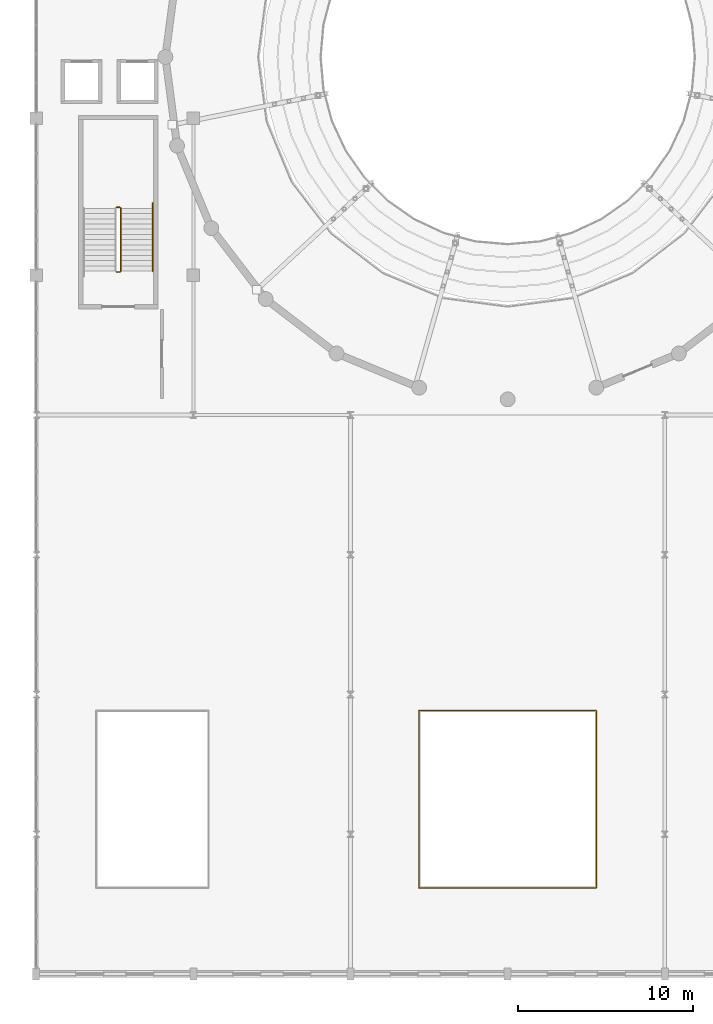
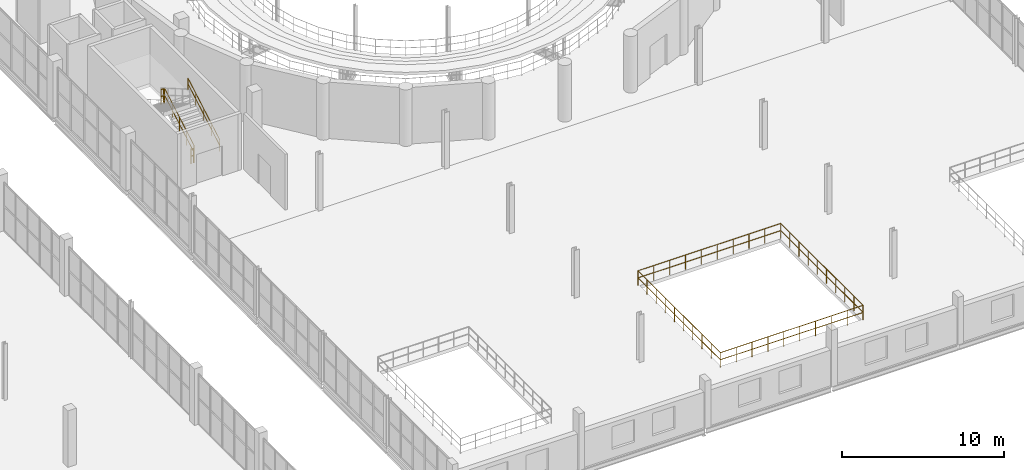
# One storey, part 66 of 73: 5 railings.
"""IFC4 building model written with IfcOpenShell, lengths in metres."""

from ifc_helpers import new_model, si_unit, direction, frame, origin, origin_2d, place, context, subcontext, project, spatial, circle, extrude, material, type_object, element, save


model = new_model("IFC4")

# Units and contexts
model_context = context("Model", 3, precision=1e-05, world=origin(), true_north=direction((0.0, 1.0)))
body_context = subcontext(model_context, "Body", "Model", "MODEL_VIEW")
ifc_project = project(units=[si_unit("LENGTHUNIT", "METRE"), si_unit("AREAUNIT", "SQUARE_METRE"), si_unit("VOLUMEUNIT", "CUBIC_METRE"), si_unit("PLANEANGLEUNIT", "RADIAN"), si_unit("MASSUNIT", "GRAM", prefix="KILO")], contexts=[model_context])

# Site, building, storey
site_placement = place(None, origin())
site = spatial("IfcSite", under=ifc_project, at=site_placement, CompositionType="ELEMENT")
building_placement = place(site_placement, origin())
building = spatial("IfcBuilding", under=site, at=building_placement, Name="Marnock Terrace Opera House", CompositionType="ELEMENT")
storey_placement = place(building_placement, frame((0.0, 0.0, 14.699951171875)))
storey = spatial("IfcBuildingStorey", under=building, at=storey_placement, Name="L03", CompositionType="ELEMENT", Elevation=14.699951171875)

# Railings
ifc_material = material(Name="Architectural bronze balustrade")
railing_type_1 = type_object("IfcRailingType", Name="RL-ATRIUM-1120", PredefinedType="BALUSTRADE", material=ifc_material)
railing_1_placement = place(storey_placement, frame((76.919921875, 12.919921875, 0.0)))
element("IfcRailing", 1, at=railing_1_placement, inside=storey, type_object=railing_type_1, Name="L03 floor opening balustrade ATR-2", PredefinedType="BALUSTRADE", context=body_context, shape_type="SweptSolid", body=[
    extrude(circle(Radius=0.02392578125, at=origin_2d()), frame((0.0, 0.0, 1.09619140625), z_axis=(1.0, 0.0, 0.0), x_axis=(0.0, 1.0, 0.0)), (0.0, 0.0, 1.0), 10.16015625),
    extrude(circle(Radius=0.02392578125, at=origin_2d()), frame((0.0, 0.0, 0.56005859375), z_axis=(1.0, 0.0, 0.0), x_axis=(0.0, 1.0, 0.0)), (0.0, 0.0, 1.0), 10.16015625),
    extrude(circle(Radius=0.02392578125, at=origin_2d()), frame((10.16015625, 0.0, 1.09619140625), z_axis=(0.0, 1.0, 0.0), x_axis=(-1.0, 0.0, 0.0)), (0.0, 0.0, 1.0), 10.16015625),
    extrude(circle(Radius=0.02392578125, at=origin_2d()), frame((10.16015625, 0.0, 0.56005859375), z_axis=(0.0, 1.0, 0.0), x_axis=(-1.0, 0.0, 0.0)), (0.0, 0.0, 1.0), 10.16015625),
    extrude(circle(Radius=0.02392578125, at=origin_2d()), frame((10.16015625, 10.16015625, 1.09619140625), z_axis=(-1.0, 0.0, 0.0), x_axis=(0.0, -1.0, 0.0)), (0.0, 0.0, 1.0), 10.16015625),
    extrude(circle(Radius=0.02392578125, at=origin_2d()), frame((10.16015625, 10.16015625, 0.56005859375), z_axis=(-1.0, 0.0, 0.0), x_axis=(0.0, -1.0, 0.0)), (0.0, 0.0, 1.0), 10.16015625),
    extrude(circle(Radius=0.02392578125, at=origin_2d()), frame((0.0, 10.16015625, 1.09619140625), z_axis=(0.0, -1.0, 0.0), x_axis=(1.0, 0.0, 0.0)), (0.0, 0.0, 1.0), 10.16015625),
    extrude(circle(Radius=0.02392578125, at=origin_2d()), frame((0.0, 10.16015625, 0.56005859375), z_axis=(0.0, -1.0, 0.0), x_axis=(1.0, 0.0, 0.0)), (0.0, 0.0, 1.0), 10.16015625),
    extrude(circle(Radius=0.02099609375, at=origin_2d()), origin(), (0.0, 0.0, 1.0), 1.072021484375),
    extrude(circle(Radius=0.02099609375, at=origin_2d()), frame((1.12890625, 0.0, 0.0)), (0.0, 0.0, 1.0), 1.072021484375),
    extrude(circle(Radius=0.02099609375, at=origin_2d()), frame((2.2578125, 0.0, 0.0)), (0.0, 0.0, 1.0), 1.072021484375),
    extrude(circle(Radius=0.02099609375, at=origin_2d()), frame((3.38671875, 0.0, 0.0)), (0.0, 0.0, 1.0), 1.072021484375),
    extrude(circle(Radius=0.02099609375, at=origin_2d()), frame((4.515625, 0.0, 0.0)), (0.0, 0.0, 1.0), 1.072021484375),
    extrude(circle(Radius=0.02099609375, at=origin_2d()), frame((5.64453125, 0.0, 0.0)), (0.0, 0.0, 1.0), 1.072021484375),
    extrude(circle(Radius=0.02099609375, at=origin_2d()), frame((6.7734375, 0.0, 0.0)), (0.0, 0.0, 1.0), 1.072021484375),
    extrude(circle(Radius=0.02099609375, at=origin_2d()), frame((7.90234375, 0.0, 0.0)), (0.0, 0.0, 1.0), 1.072021484375),
    extrude(circle(Radius=0.02099609375, at=origin_2d()), frame((9.03125, 0.0, 0.0)), (0.0, 0.0, 1.0), 1.072021484375),
    extrude(circle(Radius=0.02099609375, at=origin_2d()), frame((10.16015625, 0.0, 0.0)), (0.0, 0.0, 1.0), 1.072021484375),
    extrude(circle(Radius=0.02099609375, at=origin_2d()), frame((10.16015625, 1.12890625, 0.0)), (0.0, 0.0, 1.0), 1.072021484375),
    extrude(circle(Radius=0.02099609375, at=origin_2d()), frame((10.16015625, 2.2578125, 0.0)), (0.0, 0.0, 1.0), 1.072021484375),
    extrude(circle(Radius=0.02099609375, at=origin_2d()), frame((10.16015625, 3.38671875, 0.0)), (0.0, 0.0, 1.0), 1.072021484375),
    extrude(circle(Radius=0.02099609375, at=origin_2d()), frame((10.16015625, 4.515625, 0.0)), (0.0, 0.0, 1.0), 1.072021484375),
    extrude(circle(Radius=0.02099609375, at=origin_2d()), frame((10.16015625, 5.64453125, 0.0)), (0.0, 0.0, 1.0), 1.072021484375),
    extrude(circle(Radius=0.02099609375, at=origin_2d()), frame((10.16015625, 6.7734375, 0.0)), (0.0, 0.0, 1.0), 1.072021484375),
    extrude(circle(Radius=0.02099609375, at=origin_2d()), frame((10.16015625, 7.90234375, 0.0)), (0.0, 0.0, 1.0), 1.072021484375),
    extrude(circle(Radius=0.02099609375, at=origin_2d()), frame((10.16015625, 9.03125, 0.0)), (0.0, 0.0, 1.0), 1.072021484375),
    extrude(circle(Radius=0.02099609375, at=origin_2d()), frame((10.16015625, 10.16015625, 0.0)), (0.0, 0.0, 1.0), 1.072021484375),
    extrude(circle(Radius=0.02099609375, at=origin_2d()), frame((9.03125, 10.16015625, 0.0)), (0.0, 0.0, 1.0), 1.072021484375),
    extrude(circle(Radius=0.02099609375, at=origin_2d()), frame((7.90234375, 10.16015625, 0.0)), (0.0, 0.0, 1.0), 1.072021484375),
    extrude(circle(Radius=0.02099609375, at=origin_2d()), frame((6.7734375, 10.16015625, 0.0)), (0.0, 0.0, 1.0), 1.072021484375),
    extrude(circle(Radius=0.02099609375, at=origin_2d()), frame((5.64453125, 10.16015625, 0.0)), (0.0, 0.0, 1.0), 1.072021484375),
    extrude(circle(Radius=0.02099609375, at=origin_2d()), frame((4.515625, 10.16015625, 0.0)), (0.0, 0.0, 1.0), 1.072021484375),
    extrude(circle(Radius=0.02099609375, at=origin_2d()), frame((3.38671875, 10.16015625, 0.0)), (0.0, 0.0, 1.0), 1.072021484375),
    extrude(circle(Radius=0.02099609375, at=origin_2d()), frame((2.2578125, 10.16015625, 0.0)), (0.0, 0.0, 1.0), 1.072021484375),
    extrude(circle(Radius=0.02099609375, at=origin_2d()), frame((1.12890625, 10.16015625, 0.0)), (0.0, 0.0, 1.0), 1.072021484375),
    extrude(circle(Radius=0.02099609375, at=origin_2d()), frame((0.0, 10.16015625, 0.0)), (0.0, 0.0, 1.0), 1.072021484375),
    extrude(circle(Radius=0.02099609375, at=origin_2d()), frame((0.0, 9.03125, 0.0)), (0.0, 0.0, 1.0), 1.072021484375),
    extrude(circle(Radius=0.02099609375, at=origin_2d()), frame((0.0, 7.90234375, 0.0)), (0.0, 0.0, 1.0), 1.072021484375),
    extrude(circle(Radius=0.02099609375, at=origin_2d()), frame((0.0, 6.7734375, 0.0)), (0.0, 0.0, 1.0), 1.072021484375),
    extrude(circle(Radius=0.02099609375, at=origin_2d()), frame((0.0, 5.64453125, 0.0)), (0.0, 0.0, 1.0), 1.072021484375),
    extrude(circle(Radius=0.02099609375, at=origin_2d()), frame((0.0, 4.515625, 0.0)), (0.0, 0.0, 1.0), 1.072021484375),
    extrude(circle(Radius=0.02099609375, at=origin_2d()), frame((0.0, 3.38671875, 0.0)), (0.0, 0.0, 1.0), 1.072021484375),
    extrude(circle(Radius=0.02099609375, at=origin_2d()), frame((0.0, 2.2578125, 0.0)), (0.0, 0.0, 1.0), 1.072021484375),
    extrude(circle(Radius=0.02099609375, at=origin_2d()), frame((0.0, 1.12890625, 0.0)), (0.0, 0.0, 1.0), 1.072021484375),
])
railing_type_2 = type_object("IfcRailingType", Name="RL-GUARD-1100", PredefinedType="GUARDRAIL", material=ifc_material)
railing_2_placement = place(storey_placement, frame((59.85009765625, 48.239990234375, 0.173095703125)))
element("IfcRailing", 2, at=railing_2_placement, inside=storey, type_object=railing_type_2, Name="L03 ST-01 stair guard 1", PredefinedType="GUARDRAIL", context=body_context, shape_type="SweptSolid", body=[
    extrude(circle(Radius=0.02392578125, at=origin_2d()), frame((0.0, 0.0, 1.076171875), z_axis=(0.0, 0.866193409371, 0.499708892819), x_axis=(-1.0, 0.0, 0.0)), (0.0, 0.0, 1.0), 4.15625),
    extrude(circle(Radius=0.02392578125, at=origin_2d()), frame((0.0, 0.0, 0.550048828125), z_axis=(0.0, 0.866193409371, 0.499708892819), x_axis=(-1.0, 0.0, 0.0)), (0.0, 0.0, 1.0), 4.15625),
    extrude(circle(Radius=0.02099609375, at=origin_2d()), origin(), (0.0, 0.0, 1.0), 1.052001953125),
    extrude(circle(Radius=0.02099609375, at=origin_2d()), frame((0.0, 0.89990234375, 0.519287109375)), (0.0, 0.0, 1.0), 1.052001953125),
    extrude(circle(Radius=0.02099609375, at=origin_2d()), frame((0.0, 1.800048828125, 1.03857421875)), (0.0, 0.0, 1.0), 1.052001953125),
    extrude(circle(Radius=0.02099609375, at=origin_2d()), frame((0.0, 2.7001953125, 1.5576171875)), (0.0, 0.0, 1.0), 1.052001953125),
    extrude(circle(Radius=0.02099609375, at=origin_2d()), frame((0.0, 3.60009765625, 2.076904296875)), (0.0, 0.0, 1.0), 1.052001953125),
])
for number, where, name in (
    (3, (59.800048828125, 51.889892578125, 2.25), "L03 ST-01 stair guard 2"),
    (4, (59.800048828125, 48.18994140625, 0.0), "L03 ST-01 stair guard 4"),
):
    element("IfcRailing", number, at=place(storey_placement, frame(where)), inside=storey, type_object=railing_type_2, Name=name, PredefinedType="GUARDRAIL", context=body_context, shape_type="SweptSolid", body=[
        extrude(circle(Radius=0.02392578125, at=origin_2d()), frame((0.0, 0.0, 1.076171875), z_axis=(-1.0, 0.0, 0.0), x_axis=(0.0, -1.0, 0.0)), (0.0, 0.0, 1.0), 0.199951171875),
        extrude(circle(Radius=0.02392578125, at=origin_2d()), frame((0.0, 0.0, 0.550048828125), z_axis=(-1.0, 0.0, 0.0), x_axis=(0.0, -1.0, 0.0)), (0.0, 0.0, 1.0), 0.199951171875),
        extrude(circle(Radius=0.02099609375, at=origin_2d()), origin(), (0.0, 0.0, 1.0), 1.052001953125),
        extrude(circle(Radius=0.02099609375, at=origin_2d()), frame((-0.199951171875, 0.0, 0.0)), (0.0, 0.0, 1.0), 1.052001953125),
    ])
railing_type_3 = type_object("IfcRailingType", Name="RL-HAND-900", PredefinedType="HANDRAIL", material=ifc_material)
railing_3_placement = place(storey_placement, frame((61.669921875, 48.239990234375, 0.18505859375)))
element("IfcRailing", 5, at=railing_3_placement, inside=storey, type_object=railing_type_3, Name="L03 ST-01 stair handrail 1", PredefinedType="HANDRAIL", context=body_context, shape_type="SweptSolid", body=[
    extrude(circle(Radius=0.02392578125, at=origin_2d()), frame((0.0, 0.0, 0.8759765625), z_axis=(0.0, 0.866180169578, 0.49973184192), x_axis=(-1.0, 0.0, 0.0)), (0.0, 0.0, 1.0), 4.50244140625),
    extrude(circle(Radius=0.02392578125, at=origin_2d()), frame((0.0, 0.0, 0.449951171875), z_axis=(0.0, 0.866180169578, 0.49973184192), x_axis=(-1.0, 0.0, 0.0)), (0.0, 0.0, 1.0), 4.50244140625),
    extrude(circle(Radius=0.02099609375, at=origin_2d()), origin(), (0.0, 0.0, 1.0), 0.851806640625),
    extrude(circle(Radius=0.02099609375, at=origin_2d()), frame((0.0, 0.97509765625, 0.5625)), (0.0, 0.0, 1.0), 0.851806640625),
    extrude(circle(Radius=0.02099609375, at=origin_2d()), frame((0.0, 1.949951171875, 1.125)), (0.0, 0.0, 1.0), 0.851806640625),
    extrude(circle(Radius=0.02099609375, at=origin_2d()), frame((0.0, 2.9248046875, 1.6875)), (0.0, 0.0, 1.0), 0.851806640625),
    extrude(circle(Radius=0.02099609375, at=origin_2d()), frame((0.0, 3.89990234375, 2.25)), (0.0, 0.0, 1.0), 0.851806640625),
])

save(model, "model.ifc")
